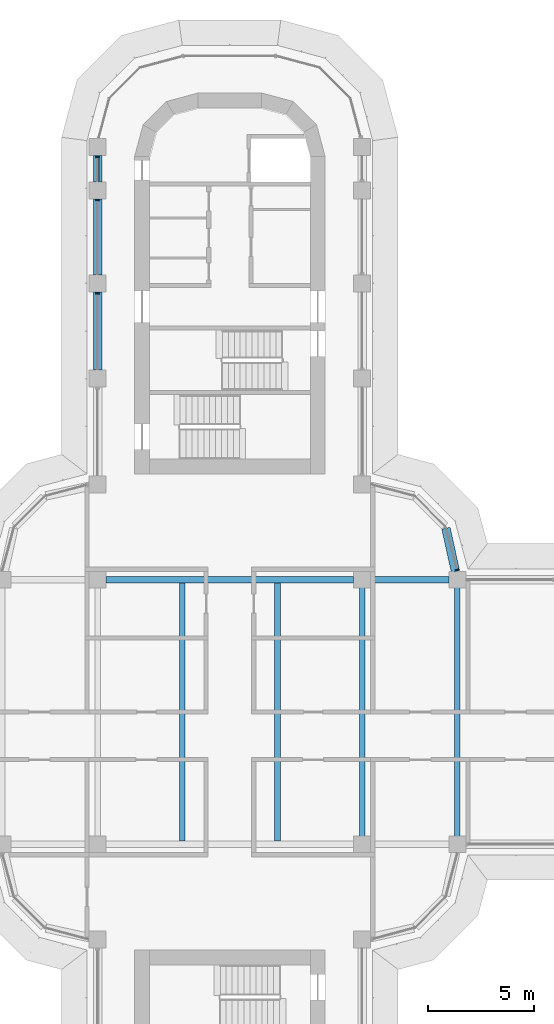
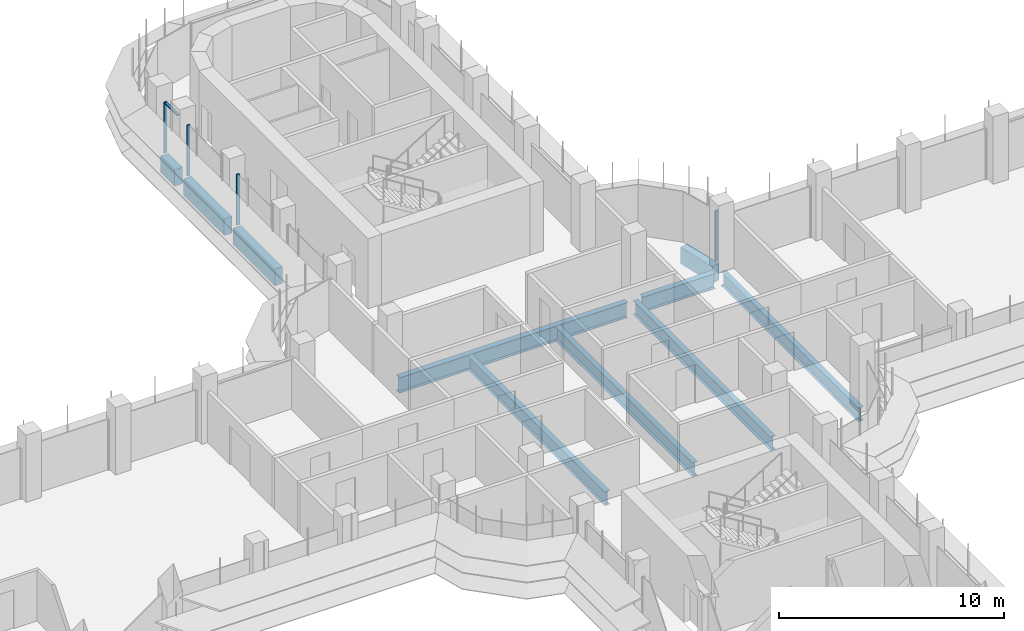
# One storey, part 7 of 20: 10 beams, 5 members, 2 elements without a shape of their own.
"""IFC4 building model written with IfcOpenShell, lengths in metres."""

import ifcopenshell
import ifcopenshell.guid

model = None  # the IFC model being written
_history = None  # IfcOwnerHistory: only IFC2X3 demands one
_inside = {}  # id of a spatial element -> (the spatial element, [elements in it])
_under = {}  # id of a project, library or spatial element -> (it, [spatial elements below it])
_declared = {}  # id of a project -> (the project, [libraries it declares])
_typed = {}  # id of a type object -> (the type object, [elements of that type])
_made_of = {}  # id of a material, layer set ... -> (it, [elements and type objects made of it])


def new_model(schema):
    """Start an empty IFC model of exactly this schema.

    Asked for "IFC4X3", IfcOpenShell would pick the latest addendum, in which some entities
    have other attributes; the version numbers below select the first issue.
    IFC2X3 requires an IfcOwnerHistory on every rooted entity: one is made here for all.
    """
    global model, _history
    if schema == "IFC4X3":
        model = ifcopenshell.file(schema_version=(4, 3, 0, 0))
    else:
        model = ifcopenshell.file(schema=schema)
    _inside.clear()
    _under.clear()
    _declared.clear()
    _typed.clear()
    _made_of.clear()
    _history = None
    if model.schema == "IFC2X3":
        org = make("IfcOrganization", Name="unknown")
        user = make(
            "IfcPersonAndOrganization",
            ThePerson=make("IfcPerson", FamilyName="unknown"),
            TheOrganization=org,
        )
        app = make(
            "IfcApplication",
            ApplicationDeveloper=org,
            Version="unknown",
            ApplicationFullName="unknown",
            ApplicationIdentifier="unknown",
        )
        _history = make(
            "IfcOwnerHistory",
            OwningUser=user,
            OwningApplication=app,
            ChangeAction="ADDED",
            CreationDate=0,
        )
    return model


def make(cls, **values):
    """One entity of the class cls with the attributes given. An attribute that is None is left unset."""
    return model.create_entity(
        cls, **{name: value for name, value in values.items() if value is not None}
    )


def rooted(cls, **values):
    """An entity with a GlobalId (a new one), such as an element, a storey or a relation."""
    return make(cls, GlobalId=ifcopenshell.guid.new(), OwnerHistory=_history, **values)


def si_unit(unit_type, name, prefix=None):
    """IfcSIUnit, for example si_unit("LENGTHUNIT", "METRE", prefix="MILLI")."""
    return make("IfcSIUnit", UnitType=unit_type, Prefix=prefix, Name=name)


def assignment(units):
    """IfcUnitAssignment: the units of a project."""
    return None if units is None else make("IfcUnitAssignment", Units=units)


def point(xyz):
    """IfcCartesianPoint."""
    return None if xyz is None else make("IfcCartesianPoint", Coordinates=xyz)


def direction(xyz):
    """IfcDirection."""
    return None if xyz is None else make("IfcDirection", DirectionRatios=xyz)


def frame(location, z_axis=None, x_axis=None):
    """IfcAxis2Placement3D, a coordinate frame: its origin and axes. An axis left out is left unset."""
    return make(
        "IfcAxis2Placement3D",
        Location=point(location),
        Axis=direction(z_axis),
        RefDirection=direction(x_axis),
    )


def frame_2d(location, x_axis=None):
    """IfcAxis2Placement2D, a coordinate frame in the plane: its origin and x axis."""
    return make(
        "IfcAxis2Placement2D", Location=point(location), RefDirection=direction(x_axis)
    )


def origin():
    """The frame at (0, 0, 0) with its axes left unset."""
    return frame((0.0, 0.0, 0.0))


def origin_2d():
    """The frame at (0, 0) in the plane with its x axis left unset."""
    return frame_2d((0.0, 0.0))


def place(relative_to, where):
    """IfcLocalPlacement: puts the frame where relative to a parent placement (None: the world)."""
    return make(
        "IfcLocalPlacement", PlacementRelTo=relative_to, RelativePlacement=where
    )


def context(
    kind, dimensions, precision=None, world=None, true_north=None, identifier=None
):
    """IfcGeometricRepresentationContext, for example the 3D "Model" context."""
    return make(
        "IfcGeometricRepresentationContext",
        ContextIdentifier=identifier,
        ContextType=kind,
        CoordinateSpaceDimension=dimensions,
        Precision=precision,
        WorldCoordinateSystem=world,
        TrueNorth=true_north,
    )


def subcontext(parent, identifier, kind, view, scale=None):
    """IfcGeometricRepresentationSubContext, for example "Body" below "Model"."""
    return make(
        "IfcGeometricRepresentationSubContext",
        ContextIdentifier=identifier,
        ContextType=kind,
        ParentContext=parent,
        TargetScale=scale,
        TargetView=view,
    )


def project(units=None, contexts=None):
    """IfcProject with its units and contexts."""
    return rooted(
        "IfcProject",
        Name="project",
        RepresentationContexts=contexts,
        UnitsInContext=assignment(units),
    )


def spatial(cls, under=None, at=None, **own):
    """A site, building, storey or space (cls), placed at a placement, below another one or the project."""
    s = rooted(cls, ObjectPlacement=at, **own)
    if under is not None:
        _under.setdefault(under.id(), (under, []))[1].append(s)
    return s


def polyline(points):
    """IfcPolyline through the points."""
    return make("IfcPolyline", Points=[point(p) for p in points])


def profile(cls, at=None, kind="AREA", **sizes):
    """A parametric profile (cls). Its sizes go by their IFC names, for example OverallWidth=200.0."""
    return make(cls, ProfileType=kind, Position=at, **sizes)


def rectangle(**sizes):
    """IfcRectangleProfileDef."""
    return profile("IfcRectangleProfileDef", **sizes)


def i_section(**sizes):
    """IfcIShapeProfileDef."""
    return profile("IfcIShapeProfileDef", **sizes)


def outline(outer, holes=None, kind="AREA"):
    """IfcArbitraryClosedProfileDef: a profile drawn as a closed curve; with holes, ...WithVoids."""
    if holes is None:
        return make("IfcArbitraryClosedProfileDef", ProfileType=kind, OuterCurve=outer)
    return make(
        "IfcArbitraryProfileDefWithVoids",
        ProfileType=kind,
        OuterCurve=outer,
        InnerCurves=holes,
    )


def extrude(swept, where, along, depth):
    """IfcExtrudedAreaSolid: the profile swept, set in the frame where, extruded along a direction by depth."""
    return make(
        "IfcExtrudedAreaSolid",
        SweptArea=swept,
        Position=where,
        ExtrudedDirection=direction(along),
        Depth=depth,
    )


def shape(context_of_items, identifier, shape_type, items):
    """IfcShapeRepresentation: the items that make up one representation, for example the "Body"."""
    return make(
        "IfcShapeRepresentation",
        ContextOfItems=context_of_items,
        RepresentationIdentifier=identifier,
        RepresentationType=shape_type,
        Items=items,
    )


def source(mapping_origin, context_of_items, identifier, shape_type, items):
    """IfcRepresentationMap: a shape defined once, which mapped items show again and again."""
    return make(
        "IfcRepresentationMap",
        MappingOrigin=mapping_origin,
        MappedRepresentation=shape(context_of_items, identifier, shape_type, items),
    )


def transform(
    local_origin,
    x_axis=None,
    y_axis=None,
    z_axis=None,
    scale=None,
    scale2=None,
    scale3=None,
    uniform=True,
):
    """IfcCartesianTransformationOperator3D, or its non-uniform kind. x_axis, y_axis, z_axis: its Axis1, 2, 3."""
    if uniform:
        return make(
            "IfcCartesianTransformationOperator3D",
            Axis1=direction(x_axis),
            Axis2=direction(y_axis),
            LocalOrigin=point(local_origin),
            Scale=scale,
            Axis3=direction(z_axis),
        )
    return make(
        "IfcCartesianTransformationOperator3DnonUniform",
        Axis1=direction(x_axis),
        Axis2=direction(y_axis),
        LocalOrigin=point(local_origin),
        Scale=scale,
        Axis3=direction(z_axis),
        Scale2=scale2,
        Scale3=scale3,
    )


def mapped(mapping_source, mapping_target):
    """IfcMappedItem: shows the shape of a source again, moved by a transform."""
    return make(
        "IfcMappedItem", MappingSource=mapping_source, MappingTarget=mapping_target
    )


def material(Name=None, Category=None):
    """IfcMaterial."""
    return make("IfcMaterial", Name=Name, Category=Category)


def material_profile(
    of_material, cross_section, Name=None, Category=None, Priority=None
):
    """IfcMaterialProfile: a cross section and its material."""
    return make(
        "IfcMaterialProfile",
        Name=Name,
        Material=of_material,
        Profile=cross_section,
        Priority=Priority,
        Category=Category,
    )


def profile_set(profiles, Name=None, composite=None):
    """IfcMaterialProfileSet."""
    return make(
        "IfcMaterialProfileSet",
        Name=Name,
        MaterialProfiles=profiles,
        CompositeProfile=composite,
    )


def made_of(thing, what):
    """Note that an element or type object is made of a material, layer set ...; save() writes the relation."""
    if what is not None:
        _made_of.setdefault(what.id(), (what, []))[1].append(thing)
    return thing


def type_object(cls, material=None, **own):
    """A type object (cls), such as IfcWallType, which elements share."""
    return made_of(rooted(cls, **own), material)


def element(
    cls,
    number,
    at=None,
    inside=None,
    cuts=None,
    type_object=None,
    material=None,
    context=None,
    identifier="Body",
    shape_type=None,
    held_by="IfcProductDefinitionShape",
    body=None,
    shapes=None,
    **own,
):
    """One element of the class cls, such as IfcWall. Its Tag is "e" and its number.

    at: its placement. inside: the storey or other place that contains it. cuts: it is an
    opening in that element (IfcRelVoidsElement). A single representation is given by context,
    identifier, shape_type and body (its items); several are given by shapes. held_by: the class
    of the entity that holds the representations. save() writes the other relations.
    """
    e = rooted(cls, Tag="e%d" % number, ObjectPlacement=at, **own)
    if body is not None:
        shapes = [shape(context, identifier, shape_type, body)]
    if shapes is not None:
        e.Representation = make(held_by, Representations=shapes)
    if inside is not None:
        _inside.setdefault(inside.id(), (inside, []))[1].append(e)
    if cuts is not None:
        rooted(
            "IfcRelVoidsElement", RelatingBuildingElement=cuts, RelatedOpeningElement=e
        )
    if type_object is not None:
        _typed.setdefault(type_object.id(), (type_object, []))[1].append(e)
    return made_of(e, material)


def aggregate(whole, parts):
    """IfcRelAggregates: a whole, such as a stair, and the parts it consists of."""
    return rooted("IfcRelAggregates", RelatingObject=whole, RelatedObjects=parts)


def save(model, path):
    """Write the relations noted so far, then the file.

    IfcRelAggregates (storeys below a building ...), IfcRelContainedInSpatialStructure (elements
    in a storey), IfcRelDefinesByType, IfcRelAssociatesMaterial and IfcRelDeclares: one each for
    every whole, place, type object, material and project.
    """
    for whole, parts in _under.values():
        aggregate(whole, parts)
    for where, things in _inside.values():
        rooted(
            "IfcRelContainedInSpatialStructure",
            RelatedElements=things,
            RelatingStructure=where,
        )
    for kind, things in _typed.values():
        rooted("IfcRelDefinesByType", RelatedObjects=things, RelatingType=kind)
    for what, things in _made_of.values():
        rooted("IfcRelAssociatesMaterial", RelatedObjects=things, RelatingMaterial=what)
    for by, libraries in _declared.values():
        rooted("IfcRelDeclares", RelatingContext=by, RelatedDefinitions=libraries)
    model.write(path)


model = new_model("IFC4")

# Units and contexts
model_context = context("Model", 3, precision=1e-05, world=origin(), true_north=direction((0.0, 1.0)))
body_context = subcontext(model_context, "Body", "Model", "MODEL_VIEW")
ifc_project = project(units=[si_unit("LENGTHUNIT", "METRE"), si_unit("AREAUNIT", "SQUARE_METRE"), si_unit("VOLUMEUNIT", "CUBIC_METRE"), si_unit("PLANEANGLEUNIT", "RADIAN"), si_unit("MASSUNIT", "GRAM", prefix="KILO")], contexts=[model_context])

# Site, building, storey
site_placement = place(None, origin())
site = spatial("IfcSite", under=ifc_project, at=site_placement, CompositionType="ELEMENT")
building_placement = place(site_placement, origin())
building = spatial("IfcBuilding", under=site, at=building_placement, Name="Zarbagh Exchange Tower", CompositionType="ELEMENT")
storey_placement = place(building_placement, frame((0.0, 0.0, 163.800048828125)))
storey = spatial("IfcBuildingStorey", under=building, at=storey_placement, Name="L39", CompositionType="ELEMENT", Elevation=163.800048828125)

# Beams
ifc_material_1 = material(Name="Steel ASTM A992 Gr 50", Category="steel")
ifc_material_profile_1 = material_profile(ifc_material_1, i_section(OverallWidth=0.26416015625, OverallDepth=0.749267578125, WebThickness=0.011962890625, FlangeThickness=0.015380859375, at=origin_2d()), Name="W30X90")
ifc_profile_set_1 = profile_set([ifc_material_profile_1], Name="Steel ASTM A992 Gr 50")
beam_type_1 = type_object("IfcBeamType", Name="Floor beam W30X90", PredefinedType="BEAM", material=ifc_profile_set_1)
for number, where, z_axis, x_axis, name in (
    (1, (-2.25, -6.10400390625, -0.524658203125), (0.0, 1.0, 0.0), (-1.0, 0.0, 0.0), "Steel floor beam"),
    (2, (2.25, -6.10400390625, -0.524658203125), (0.0, 1.0, 0.0), (-1.0, 0.0, 0.0), "Steel floor beam"),
    (3, (6.25, -6.10400390625, -0.524658203125), (0.0, 1.0, 0.0), (-1.0, 0.0, 0.0), "Steel floor beam"),
    (4, (10.75, -6.10400390625, -0.524658203125), (0.0, 1.0, 0.0), (-1.0, 0.0, 0.0), "Steel floor beam"),
):
    element("IfcBeam", number, at=place(storey_placement, frame(where, z_axis=z_axis, x_axis=x_axis)), inside=storey, type_object=beam_type_1, Name=name, PredefinedType="BEAM", context=body_context, shape_type="SweptSolid", body=[
        extrude(i_section(OverallWidth=0.26416015625, OverallDepth=0.749267578125, WebThickness=0.011962890625, FlangeThickness=0.015380859375, at=origin_2d()), origin(), (0.0, 0.0, 1.0), 12.2080078125),
    ])
ifc_material_profile_2 = material_profile(ifc_material_1, i_section(OverallWidth=0.2919921875, OverallDepth=0.835693359375, WebThickness=0.013916015625, FlangeThickness=0.018798828125, at=origin_2d()), Name="W33X118")
ifc_profile_set_2 = profile_set([ifc_material_profile_2], Name="Steel ASTM A992 Gr 50")
beam_type_2 = type_object("IfcBeamType", Name="Floor girder W33X118", PredefinedType="BEAM", material=ifc_profile_set_2)
beam_1_placement = place(storey_placement, frame((-5.85009765625, 6.25, -0.56787109375), z_axis=(1.0, 0.0, 0.0), x_axis=(0.0, 1.0, 0.0)))
element("IfcBeam", 5, at=beam_1_placement, inside=storey, type_object=beam_type_2, Name="Steel girder", PredefinedType="BEAM", context=body_context, shape_type="SweptSolid", body=[
    extrude(i_section(OverallWidth=0.2919921875, OverallDepth=0.835693359375, WebThickness=0.013916015625, FlangeThickness=0.018798828125, at=origin_2d()), origin(), (0.0, 0.0, 1.0), 11.7001953125),
])
beam_2_placement = place(storey_placement, frame((6.64990234375, 6.25, -0.56787109375), z_axis=(1.0, 0.0, 0.0), x_axis=(0.0, 1.0, 0.0)))
element("IfcBeam", 6, at=beam_2_placement, inside=storey, type_object=beam_type_2, Name="Steel girder", PredefinedType="BEAM", context=body_context, shape_type="SweptSolid", body=[
    extrude(i_section(OverallWidth=0.2919921875, OverallDepth=0.835693359375, WebThickness=0.013916015625, FlangeThickness=0.018798828125, at=origin_2d()), origin(), (0.0, 0.0, 1.0), 3.7001953125),
])
ifc_material_2 = material(Name="Concrete C50/60", Category="concrete")
ifc_material_profile_3 = material_profile(ifc_material_2, rectangle(XDim=0.39990234375, YDim=0.89990234375, at=origin_2d()), Name="RC spandrel beam 400 x 900 C50/60")
ifc_profile_set_3 = profile_set([ifc_material_profile_3], Name="Concrete C50/60")
beam_type_3 = type_object("IfcBeamType", Name="RC spandrel beam 400 x 900 C50/60", PredefinedType="SPANDREL", material=ifc_profile_set_3)
beam_3_placement = place(storey_placement, frame((-6.25, 16.14990234375, -0.60009765625), z_axis=(0.0, 1.0, 0.0), x_axis=(-1.0, 0.0, 0.0)))
element("IfcBeam", 7, at=beam_3_placement, inside=storey, type_object=beam_type_3, Name="RC spandrel beam", PredefinedType="SPANDREL", context=body_context, shape_type="SweptSolid", body=[
    extrude(rectangle(XDim=0.39990234375, YDim=0.89990234375, at=origin_2d()), origin(), (0.0, 0.0, 1.0), 3.7001953125),
])
beam_4_placement = place(storey_placement, frame((-6.25, 20.64990234375, -0.60009765625), z_axis=(0.0, 1.0, 0.0), x_axis=(-1.0, 0.0, 0.0)))
element("IfcBeam", 8, at=beam_4_placement, inside=storey, type_object=beam_type_3, Name="RC spandrel beam", PredefinedType="SPANDREL", context=body_context, shape_type="SweptSolid", body=[
    extrude(rectangle(XDim=0.39990234375, YDim=0.89990234375, at=origin_2d()), origin(), (0.0, 0.0, 1.0), 3.60009765625),
])
beam_5_placement = place(storey_placement, frame((-6.25, 25.050048828125, -0.60009765625), z_axis=(0.0, 1.0, 0.0), x_axis=(-1.0, 0.0, 0.0)))
element("IfcBeam", 9, at=beam_5_placement, inside=storey, type_object=beam_type_3, Name="RC spandrel beam", PredefinedType="SPANDREL", context=body_context, shape_type="SweptSolid", body=[
    extrude(rectangle(XDim=0.39990234375, YDim=0.89990234375, at=origin_2d()), origin(), (0.0, 0.0, 1.0), 1.25),
])
beam_6_placement = place(storey_placement, frame((10.21142578125, 8.68408203125, -0.60009765625), z_axis=(0.216041061437, -0.976384278741, 0.0), x_axis=(0.976384278741, 0.216041061437, 0.0)))
element("IfcBeam", 10, at=beam_6_placement, inside=storey, type_object=beam_type_3, Name="RC spandrel beam", PredefinedType="SPANDREL", context=body_context, shape_type="SweptSolid", body=[
    extrude(rectangle(XDim=0.39990234375, YDim=0.89990234375, at=origin_2d()), origin(), (0.0, 0.0, 1.0), 2.0927734375),
])

# Curtain wall, member
ifc_material_3 = material(Name="Anodised aluminium frame and glazing", Category="aluminium")
curtain_wall_type = type_object("IfcCurtainWallType", Name="CWB Ribbon glazing, upper zones", PredefinedType="NOTDEFINED", material=ifc_material_3)
curtain_wall_1_placement = place(storey_placement, origin())
curtain_wall_1 = element("IfcCurtainWall", 11, at=curtain_wall_1_placement, inside=storey, type_object=curtain_wall_type, Name="CWB17 curtain wall", PredefinedType="NOTDEFINED")
ifc_material_4 = material(Name="Anodised aluminium frame", Category="aluminium")
member_type_1 = type_object("IfcMemberType", Name="MUB Mullion, anodised aluminium frame", PredefinedType="MULLION", material=ifc_material_4)
shared_shape_1 = source(origin(), body_context, "Body", "SweptSolid", [
    extrude(outline(polyline([(0.0, -0.080078125), (0.06005859375, -0.080078125), (0.06005859375, 0.080078125), (0.0, 0.080078125), (0.0, -0.080078125)])), origin(), (0.0, 0.0, 1.0), 2.75),
])
placement = place(storey_placement, origin())
member_1 = element("IfcMember", 12, at=placement, type_object=member_type_1, Name="CWB17 mullion 1.1", PredefinedType="MULLION", context=body_context, shape_type="MappedRepresentation", body=[
    mapped(shared_shape_1, transform((10.74853515625, 6.68994140625, 0.0), x_axis=(-0.258824779902, 0.965924289636, 0.0), y_axis=(-0.965924289636, -0.258824779902, 0.0), z_axis=(0.0, 0.0, 1.0))),
])
aggregate(curtain_wall_1, [member_1])

# Curtain wall, members
curtain_wall_2_placement = place(storey_placement, origin())
curtain_wall_2 = element("IfcCurtainWall", 13, at=curtain_wall_2_placement, inside=storey, type_object=curtain_wall_type, Name="CWB28 curtain wall", PredefinedType="NOTDEFINED")
member_2 = element("IfcMember", 14, at=placement, type_object=member_type_1, Name="CWB28 mullion 1.1", PredefinedType="MULLION", context=body_context, shape_type="MappedRepresentation", body=[
    mapped(shared_shape_1, transform((-6.25, 26.260009765625, 0.0), x_axis=(0.0, -1.0, 0.0), y_axis=(1.0, 0.0, 0.0), z_axis=(0.0, 0.0, 1.0))),
])
member_3 = element("IfcMember", 15, at=placement, type_object=member_type_1, Name="CWB28 mullion 2.1", PredefinedType="MULLION", context=body_context, shape_type="MappedRepresentation", body=[
    mapped(shared_shape_1, transform((-6.25, 24.2099609375, 0.0), x_axis=(0.0, -1.0, 0.0), y_axis=(1.0, 0.0, 0.0), z_axis=(0.0, 0.0, 1.0))),
])
member_4 = element("IfcMember", 16, at=placement, type_object=member_type_1, Name="CWB28 mullion 3.1", PredefinedType="MULLION", context=body_context, shape_type="MappedRepresentation", body=[
    mapped(shared_shape_1, transform((-6.25, 19.81005859375, 0.0), x_axis=(0.0, -1.0, 0.0), y_axis=(1.0, 0.0, 0.0), z_axis=(0.0, 0.0, 1.0))),
])
member_type_2 = type_object("IfcMemberType", Name="TRB Transom, anodised aluminium frame", PredefinedType="USERDEFINED", material=ifc_material_4)
shared_shape_2 = source(origin(), body_context, "Body", "SweptSolid", [
    extrude(outline(polyline([(-0.06005859375, -0.06005859375), (0.0, -0.06005859375), (0.0, 0.06005859375), (-0.06005859375, 0.06005859375), (-0.06005859375, -0.06005859375)])), origin(), (0.0, 0.0, 1.0), 1.110107421875),
])
member_5 = element("IfcMember", 17, at=placement, type_object=member_type_2, Name="CWB28 transom 1.1", ObjectType="TRANSOM", PredefinedType="USERDEFINED", context=body_context, shape_type="MappedRepresentation", body=[
    mapped(shared_shape_2, transform((-6.25, 26.199951171875, 2.75), x_axis=(0.0, 0.0, 1.0), y_axis=(-1.0, 0.0, 0.0), z_axis=(0.0, -1.0, 0.0))),
])
aggregate(curtain_wall_2, [member_2, member_5, member_3, member_4])

save(model, "model.ifc")
